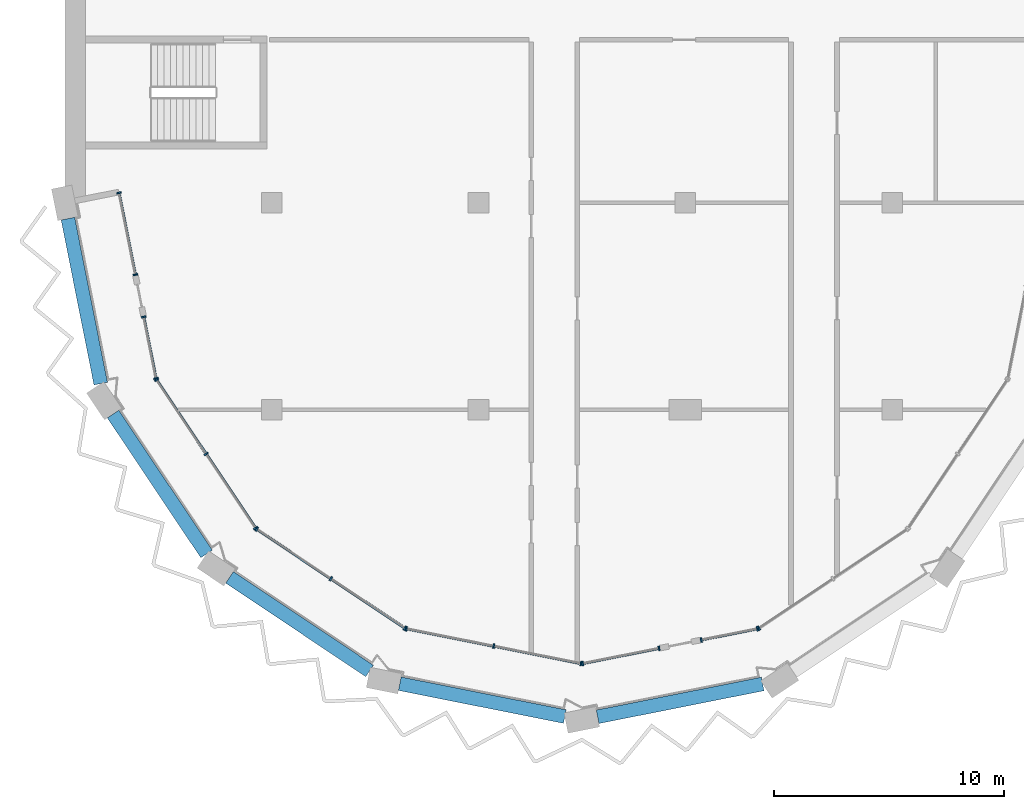
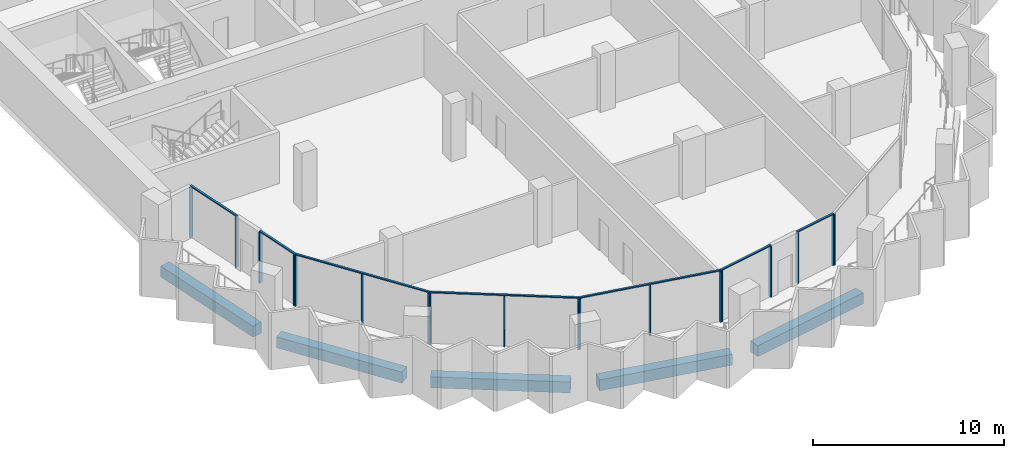
# One storey, part 2 of 14: 25 members, 5 beams, 8 elements without a shape of their own.
"""IFC4 building model written with IfcOpenShell, lengths in metres."""

import ifcopenshell
import ifcopenshell.guid

model = None  # the IFC model being written
_history = None  # IfcOwnerHistory: only IFC2X3 demands one
_inside = {}  # id of a spatial element -> (the spatial element, [elements in it])
_under = {}  # id of a project, library or spatial element -> (it, [spatial elements below it])
_declared = {}  # id of a project -> (the project, [libraries it declares])
_typed = {}  # id of a type object -> (the type object, [elements of that type])
_made_of = {}  # id of a material, layer set ... -> (it, [elements and type objects made of it])


def new_model(schema):
    """Start an empty IFC model of exactly this schema.

    Asked for "IFC4X3", IfcOpenShell would pick the latest addendum, in which some entities
    have other attributes; the version numbers below select the first issue.
    IFC2X3 requires an IfcOwnerHistory on every rooted entity: one is made here for all.
    """
    global model, _history
    if schema == "IFC4X3":
        model = ifcopenshell.file(schema_version=(4, 3, 0, 0))
    else:
        model = ifcopenshell.file(schema=schema)
    _inside.clear()
    _under.clear()
    _declared.clear()
    _typed.clear()
    _made_of.clear()
    _history = None
    if model.schema == "IFC2X3":
        org = make("IfcOrganization", Name="unknown")
        user = make(
            "IfcPersonAndOrganization",
            ThePerson=make("IfcPerson", FamilyName="unknown"),
            TheOrganization=org,
        )
        app = make(
            "IfcApplication",
            ApplicationDeveloper=org,
            Version="unknown",
            ApplicationFullName="unknown",
            ApplicationIdentifier="unknown",
        )
        _history = make(
            "IfcOwnerHistory",
            OwningUser=user,
            OwningApplication=app,
            ChangeAction="ADDED",
            CreationDate=0,
        )
    return model


def make(cls, **values):
    """One entity of the class cls with the attributes given. An attribute that is None is left unset."""
    return model.create_entity(
        cls, **{name: value for name, value in values.items() if value is not None}
    )


def rooted(cls, **values):
    """An entity with a GlobalId (a new one), such as an element, a storey or a relation."""
    return make(cls, GlobalId=ifcopenshell.guid.new(), OwnerHistory=_history, **values)


def si_unit(unit_type, name, prefix=None):
    """IfcSIUnit, for example si_unit("LENGTHUNIT", "METRE", prefix="MILLI")."""
    return make("IfcSIUnit", UnitType=unit_type, Prefix=prefix, Name=name)


def assignment(units):
    """IfcUnitAssignment: the units of a project."""
    return None if units is None else make("IfcUnitAssignment", Units=units)


def point(xyz):
    """IfcCartesianPoint."""
    return None if xyz is None else make("IfcCartesianPoint", Coordinates=xyz)


def direction(xyz):
    """IfcDirection."""
    return None if xyz is None else make("IfcDirection", DirectionRatios=xyz)


def frame(location, z_axis=None, x_axis=None):
    """IfcAxis2Placement3D, a coordinate frame: its origin and axes. An axis left out is left unset."""
    return make(
        "IfcAxis2Placement3D",
        Location=point(location),
        Axis=direction(z_axis),
        RefDirection=direction(x_axis),
    )


def frame_2d(location, x_axis=None):
    """IfcAxis2Placement2D, a coordinate frame in the plane: its origin and x axis."""
    return make(
        "IfcAxis2Placement2D", Location=point(location), RefDirection=direction(x_axis)
    )


def origin():
    """The frame at (0, 0, 0) with its axes left unset."""
    return frame((0.0, 0.0, 0.0))


def origin_2d():
    """The frame at (0, 0) in the plane with its x axis left unset."""
    return frame_2d((0.0, 0.0))


def place(relative_to, where):
    """IfcLocalPlacement: puts the frame where relative to a parent placement (None: the world)."""
    return make(
        "IfcLocalPlacement", PlacementRelTo=relative_to, RelativePlacement=where
    )


def context(
    kind, dimensions, precision=None, world=None, true_north=None, identifier=None
):
    """IfcGeometricRepresentationContext, for example the 3D "Model" context."""
    return make(
        "IfcGeometricRepresentationContext",
        ContextIdentifier=identifier,
        ContextType=kind,
        CoordinateSpaceDimension=dimensions,
        Precision=precision,
        WorldCoordinateSystem=world,
        TrueNorth=true_north,
    )


def subcontext(parent, identifier, kind, view, scale=None):
    """IfcGeometricRepresentationSubContext, for example "Body" below "Model"."""
    return make(
        "IfcGeometricRepresentationSubContext",
        ContextIdentifier=identifier,
        ContextType=kind,
        ParentContext=parent,
        TargetScale=scale,
        TargetView=view,
    )


def project(units=None, contexts=None):
    """IfcProject with its units and contexts."""
    return rooted(
        "IfcProject",
        Name="project",
        RepresentationContexts=contexts,
        UnitsInContext=assignment(units),
    )


def spatial(cls, under=None, at=None, **own):
    """A site, building, storey or space (cls), placed at a placement, below another one or the project."""
    s = rooted(cls, ObjectPlacement=at, **own)
    if under is not None:
        _under.setdefault(under.id(), (under, []))[1].append(s)
    return s


def profile(cls, at=None, kind="AREA", **sizes):
    """A parametric profile (cls). Its sizes go by their IFC names, for example OverallWidth=200.0."""
    return make(cls, ProfileType=kind, Position=at, **sizes)


def rectangle(**sizes):
    """IfcRectangleProfileDef."""
    return profile("IfcRectangleProfileDef", **sizes)


def extrude(swept, where, along, depth):
    """IfcExtrudedAreaSolid: the profile swept, set in the frame where, extruded along a direction by depth."""
    return make(
        "IfcExtrudedAreaSolid",
        SweptArea=swept,
        Position=where,
        ExtrudedDirection=direction(along),
        Depth=depth,
    )


def shape(context_of_items, identifier, shape_type, items):
    """IfcShapeRepresentation: the items that make up one representation, for example the "Body"."""
    return make(
        "IfcShapeRepresentation",
        ContextOfItems=context_of_items,
        RepresentationIdentifier=identifier,
        RepresentationType=shape_type,
        Items=items,
    )


def material(Name=None, Category=None):
    """IfcMaterial."""
    return make("IfcMaterial", Name=Name, Category=Category)


def material_profile(
    of_material, cross_section, Name=None, Category=None, Priority=None
):
    """IfcMaterialProfile: a cross section and its material."""
    return make(
        "IfcMaterialProfile",
        Name=Name,
        Material=of_material,
        Profile=cross_section,
        Priority=Priority,
        Category=Category,
    )


def profile_set(profiles, Name=None, composite=None):
    """IfcMaterialProfileSet."""
    return make(
        "IfcMaterialProfileSet",
        Name=Name,
        MaterialProfiles=profiles,
        CompositeProfile=composite,
    )


def made_of(thing, what):
    """Note that an element or type object is made of a material, layer set ...; save() writes the relation."""
    if what is not None:
        _made_of.setdefault(what.id(), (what, []))[1].append(thing)
    return thing


def type_object(cls, material=None, **own):
    """A type object (cls), such as IfcWallType, which elements share."""
    return made_of(rooted(cls, **own), material)


def element(
    cls,
    number,
    at=None,
    inside=None,
    cuts=None,
    type_object=None,
    material=None,
    context=None,
    identifier="Body",
    shape_type=None,
    held_by="IfcProductDefinitionShape",
    body=None,
    shapes=None,
    **own,
):
    """One element of the class cls, such as IfcWall. Its Tag is "e" and its number.

    at: its placement. inside: the storey or other place that contains it. cuts: it is an
    opening in that element (IfcRelVoidsElement). A single representation is given by context,
    identifier, shape_type and body (its items); several are given by shapes. held_by: the class
    of the entity that holds the representations. save() writes the other relations.
    """
    e = rooted(cls, Tag="e%d" % number, ObjectPlacement=at, **own)
    if body is not None:
        shapes = [shape(context, identifier, shape_type, body)]
    if shapes is not None:
        e.Representation = make(held_by, Representations=shapes)
    if inside is not None:
        _inside.setdefault(inside.id(), (inside, []))[1].append(e)
    if cuts is not None:
        rooted(
            "IfcRelVoidsElement", RelatingBuildingElement=cuts, RelatedOpeningElement=e
        )
    if type_object is not None:
        _typed.setdefault(type_object.id(), (type_object, []))[1].append(e)
    return made_of(e, material)


def aggregate(whole, parts):
    """IfcRelAggregates: a whole, such as a stair, and the parts it consists of."""
    return rooted("IfcRelAggregates", RelatingObject=whole, RelatedObjects=parts)


def save(model, path):
    """Write the relations noted so far, then the file.

    IfcRelAggregates (storeys below a building ...), IfcRelContainedInSpatialStructure (elements
    in a storey), IfcRelDefinesByType, IfcRelAssociatesMaterial and IfcRelDeclares: one each for
    every whole, place, type object, material and project.
    """
    for whole, parts in _under.values():
        aggregate(whole, parts)
    for where, things in _inside.values():
        rooted(
            "IfcRelContainedInSpatialStructure",
            RelatedElements=things,
            RelatingStructure=where,
        )
    for kind, things in _typed.values():
        rooted("IfcRelDefinesByType", RelatedObjects=things, RelatingType=kind)
    for what, things in _made_of.values():
        rooted("IfcRelAssociatesMaterial", RelatedObjects=things, RelatingMaterial=what)
    for by, libraries in _declared.values():
        rooted("IfcRelDeclares", RelatingContext=by, RelatedDefinitions=libraries)
    model.write(path)


model = new_model("IFC4")

# Units and contexts
model_context = context("Model", 3, precision=1e-05, world=origin(), true_north=direction((0.0, 1.0)))
body_context = subcontext(model_context, "Body", "Model", "MODEL_VIEW")
ifc_project = project(units=[si_unit("LENGTHUNIT", "METRE"), si_unit("AREAUNIT", "SQUARE_METRE"), si_unit("VOLUMEUNIT", "CUBIC_METRE"), si_unit("PLANEANGLEUNIT", "RADIAN"), si_unit("MASSUNIT", "GRAM", prefix="KILO")], contexts=[model_context])

# Site, building, storey
site_placement = place(None, origin())
site = spatial("IfcSite", under=ifc_project, at=site_placement, CompositionType="ELEMENT")
building_placement = place(site_placement, origin())
building = spatial("IfcBuilding", under=site, at=building_placement, Name="Hunhe Ridgeline Campus", CompositionType="ELEMENT")
storey_placement = place(building_placement, frame((0.0, 0.0, 288.199951171875)))
storey = spatial("IfcBuildingStorey", under=building, at=storey_placement, Name="L74", CompositionType="ELEMENT", Elevation=288.199951171875)

# Curtain wall, members
ifc_material_1 = material(Name="Aluminium 6063", Category="aluminium")
curtain_wall_type = type_object("IfcCurtainWallType", Name="Curtain wall CW-5", PredefinedType="NOTDEFINED", material=ifc_material_1)
curtain_wall_1_placement = place(storey_placement, origin())
curtain_wall_1 = element("IfcCurtainWall", 1, at=curtain_wall_1_placement, inside=storey, type_object=curtain_wall_type, Name="Curtain wall 01", PredefinedType="NOTDEFINED")
ifc_material_profile_1 = material_profile(ifc_material_1, rectangle(XDim=0.199951171875, YDim=0.070068359375, at=origin_2d()))
ifc_profile_set_1 = profile_set([ifc_material_profile_1], Name="Aluminium 6063")
member_type_1 = type_object("IfcMemberType", Name="CW-5 aluminium mullion", PredefinedType="MULLION", material=ifc_profile_set_1)
member_1_placement = place(storey_placement, frame((2.361572265625, 54.434326171875, 0.0), z_axis=(0.0, 0.0, 1.0), x_axis=(0.980784284924, 0.195095326561, 0.0)))
member_1 = element("IfcMember", 2, at=member_1_placement, type_object=member_type_1, Name="CW-5 mullion 1", PredefinedType="MULLION", context=body_context, shape_type="SweptSolid", body=[
    extrude(rectangle(XDim=0.199951171875, YDim=0.070068359375, at=origin_2d()), origin(), (0.0, 0.0, 1.0), 3.22998046875),
])
member_2_placement = place(storey_placement, frame((3.070068359375, 50.873291015625, 0.0), z_axis=(0.0, 0.0, 1.0), x_axis=(0.980784284924, 0.195095326561, 0.0)))
member_2 = element("IfcMember", 3, at=member_2_placement, type_object=member_type_1, Name="CW-5 mullion 2", PredefinedType="MULLION", context=body_context, shape_type="SweptSolid", body=[
    extrude(rectangle(XDim=0.199951171875, YDim=0.070068359375, at=origin_2d()), origin(), (0.0, 0.0, 1.0), 3.22998046875),
])

curtain_wall_2_placement = place(storey_placement, origin())
curtain_wall_2 = element("IfcCurtainWall", 4, at=curtain_wall_2_placement, inside=storey, type_object=curtain_wall_type, Name="Curtain wall 02", PredefinedType="NOTDEFINED")
member_3_placement = place(storey_placement, frame((3.434814453125, 49.0390625, 0.0), z_axis=(0.0, 0.0, 1.0), x_axis=(0.980784297053, 0.195095265587, 0.0)))
member_3 = element("IfcMember", 5, at=member_3_placement, type_object=member_type_1, Name="CW-5 mullion 1", PredefinedType="MULLION", context=body_context, shape_type="SweptSolid", body=[
    extrude(rectangle(XDim=0.199951171875, YDim=0.070068359375, at=origin_2d()), origin(), (0.0, 0.0, 1.0), 3.22998046875),
])
member_4_placement = place(storey_placement, frame((3.967529296875, 46.36083984375, 0.0), z_axis=(0.0, 0.0, 1.0), x_axis=(0.980784297053, 0.195095265587, 0.0)))
member_4 = element("IfcMember", 6, at=member_4_placement, type_object=member_type_1, Name="CW-5 mullion 2", PredefinedType="MULLION", context=body_context, shape_type="SweptSolid", body=[
    extrude(rectangle(XDim=0.199951171875, YDim=0.070068359375, at=origin_2d()), origin(), (0.0, 0.0, 1.0), 3.22998046875),
])

curtain_wall_3_placement = place(storey_placement, origin())
curtain_wall_3 = element("IfcCurtainWall", 7, at=curtain_wall_3_placement, inside=storey, type_object=curtain_wall_type, Name="Curtain wall 03", PredefinedType="NOTDEFINED")
member_5_placement = place(storey_placement, frame((3.993896484375, 46.29736328125, 0.0), z_axis=(0.0, 0.0, 1.0), x_axis=(0.831469584522, 0.555570274596, 0.0)))
member_5 = element("IfcMember", 8, at=member_5_placement, type_object=member_type_1, Name="CW-5 mullion 1", PredefinedType="MULLION", context=body_context, shape_type="SweptSolid", body=[
    extrude(rectangle(XDim=0.199951171875, YDim=0.070068359375, at=origin_2d()), origin(), (0.0, 0.0, 1.0), 3.22998046875),
])
member_6_placement = place(storey_placement, frame((6.147705078125, 43.07373046875, 0.0), z_axis=(0.0, 0.0, 1.0), x_axis=(0.831469584522, 0.555570274596, 0.0)))
member_6 = element("IfcMember", 9, at=member_6_placement, type_object=member_type_1, Name="CW-5 mullion 2", PredefinedType="MULLION", context=body_context, shape_type="SweptSolid", body=[
    extrude(rectangle(XDim=0.199951171875, YDim=0.070068359375, at=origin_2d()), origin(), (0.0, 0.0, 1.0), 3.22998046875),
])
member_7_placement = place(storey_placement, frame((8.3017578125, 39.850341796875, 0.0), z_axis=(0.0, 0.0, 1.0), x_axis=(0.831469584522, 0.555570274596, 0.0)))
member_7 = element("IfcMember", 10, at=member_7_placement, type_object=member_type_1, Name="CW-5 mullion 3", PredefinedType="MULLION", context=body_context, shape_type="SweptSolid", body=[
    extrude(rectangle(XDim=0.199951171875, YDim=0.070068359375, at=origin_2d()), origin(), (0.0, 0.0, 1.0), 3.22998046875),
])

curtain_wall_4_placement = place(storey_placement, origin())
curtain_wall_4 = element("IfcCurtainWall", 11, at=curtain_wall_4_placement, inside=storey, type_object=curtain_wall_type, Name="Curtain wall 04", PredefinedType="NOTDEFINED")
member_8_placement = place(storey_placement, frame((8.350341796875, 39.8017578125, 0.0), z_axis=(0.0, 0.0, 1.0), x_axis=(0.555570274596, 0.831469584522, 0.0)))
member_8 = element("IfcMember", 12, at=member_8_placement, type_object=member_type_1, Name="CW-5 mullion 1", PredefinedType="MULLION", context=body_context, shape_type="SweptSolid", body=[
    extrude(rectangle(XDim=0.199951171875, YDim=0.070068359375, at=origin_2d()), origin(), (0.0, 0.0, 1.0), 3.22998046875),
])
member_9_placement = place(storey_placement, frame((11.57373046875, 37.647705078125, 0.0), z_axis=(0.0, 0.0, 1.0), x_axis=(0.555570274596, 0.831469584522, 0.0)))
member_9 = element("IfcMember", 13, at=member_9_placement, type_object=member_type_1, Name="CW-5 mullion 2", PredefinedType="MULLION", context=body_context, shape_type="SweptSolid", body=[
    extrude(rectangle(XDim=0.199951171875, YDim=0.070068359375, at=origin_2d()), origin(), (0.0, 0.0, 1.0), 3.22998046875),
])
member_10_placement = place(storey_placement, frame((14.79736328125, 35.493896484375, 0.0), z_axis=(0.0, 0.0, 1.0), x_axis=(0.555570274596, 0.831469584522, 0.0)))
member_10 = element("IfcMember", 14, at=member_10_placement, type_object=member_type_1, Name="CW-5 mullion 3", PredefinedType="MULLION", context=body_context, shape_type="SweptSolid", body=[
    extrude(rectangle(XDim=0.199951171875, YDim=0.070068359375, at=origin_2d()), origin(), (0.0, 0.0, 1.0), 3.22998046875),
])

curtain_wall_5_placement = place(storey_placement, origin())
curtain_wall_5 = element("IfcCurtainWall", 15, at=curtain_wall_5_placement, inside=storey, type_object=curtain_wall_type, Name="Curtain wall 05", PredefinedType="NOTDEFINED")
member_11_placement = place(storey_placement, frame((14.86083984375, 35.467529296875, 0.0), z_axis=(0.0, 0.0, 1.0), x_axis=(0.195090347539, 0.980785275326, 0.0)))
member_11 = element("IfcMember", 16, at=member_11_placement, type_object=member_type_1, Name="CW-5 mullion 1", PredefinedType="MULLION", context=body_context, shape_type="SweptSolid", body=[
    extrude(rectangle(XDim=0.199951171875, YDim=0.070068359375, at=origin_2d()), origin(), (0.0, 0.0, 1.0), 3.22998046875),
])
member_12_placement = place(storey_placement, frame((18.663330078125, 34.711181640625, 0.0), z_axis=(0.0, 0.0, 1.0), x_axis=(0.195090347539, 0.980785275326, 0.0)))
member_12 = element("IfcMember", 17, at=member_12_placement, type_object=member_type_1, Name="CW-5 mullion 2", PredefinedType="MULLION", context=body_context, shape_type="SweptSolid", body=[
    extrude(rectangle(XDim=0.199951171875, YDim=0.070068359375, at=origin_2d()), origin(), (0.0, 0.0, 1.0), 3.22998046875),
])
member_13_placement = place(storey_placement, frame((22.465576171875, 33.954833984375, 0.0), z_axis=(0.0, 0.0, 1.0), x_axis=(0.195090347539, 0.980785275326, 0.0)))
member_13 = element("IfcMember", 18, at=member_13_placement, type_object=member_type_1, Name="CW-5 mullion 3", PredefinedType="MULLION", context=body_context, shape_type="SweptSolid", body=[
    extrude(rectangle(XDim=0.199951171875, YDim=0.070068359375, at=origin_2d()), origin(), (0.0, 0.0, 1.0), 3.22998046875),
])

curtain_wall_6_placement = place(storey_placement, origin())
curtain_wall_6 = element("IfcCurtainWall", 19, at=curtain_wall_6_placement, inside=storey, type_object=curtain_wall_type, Name="Curtain wall 06", PredefinedType="NOTDEFINED")
member_14_placement = place(storey_placement, frame((22.534423828125, 33.954833984375, 0.0), z_axis=(0.0, 0.0, 1.0), x_axis=(-0.19509037034, 0.980785270791, 0.0)))
member_14 = element("IfcMember", 20, at=member_14_placement, type_object=member_type_1, Name="CW-5 mullion 1", PredefinedType="MULLION", context=body_context, shape_type="SweptSolid", body=[
    extrude(rectangle(XDim=0.199951171875, YDim=0.070068359375, at=origin_2d()), origin(), (0.0, 0.0, 1.0), 3.22998046875),
])
member_15_placement = place(storey_placement, frame((25.861083984375, 34.61669921875, 0.0), z_axis=(0.0, 0.0, 1.0), x_axis=(-0.19509037034, 0.980785270791, 0.0)))
member_15 = element("IfcMember", 21, at=member_15_placement, type_object=member_type_1, Name="CW-5 mullion 2", PredefinedType="MULLION", context=body_context, shape_type="SweptSolid", body=[
    extrude(rectangle(XDim=0.199951171875, YDim=0.070068359375, at=origin_2d()), origin(), (0.0, 0.0, 1.0), 3.22998046875),
])

curtain_wall_7_placement = place(storey_placement, origin())
curtain_wall_7 = element("IfcCurtainWall", 22, at=curtain_wall_7_placement, inside=storey, type_object=curtain_wall_type, Name="Curtain wall 07", PredefinedType="NOTDEFINED")
member_16_placement = place(storey_placement, frame((27.695068359375, 34.9814453125, 0.0), z_axis=(0.0, 0.0, 1.0), x_axis=(-0.195090514627, 0.980785242091, 0.0)))
member_16 = element("IfcMember", 23, at=member_16_placement, type_object=member_type_1, Name="CW-5 mullion 1", PredefinedType="MULLION", context=body_context, shape_type="SweptSolid", body=[
    extrude(rectangle(XDim=0.199951171875, YDim=0.070068359375, at=origin_2d()), origin(), (0.0, 0.0, 1.0), 3.22998046875),
])
member_17_placement = place(storey_placement, frame((30.13916015625, 35.467529296875, 0.0), z_axis=(0.0, 0.0, 1.0), x_axis=(-0.195090514627, 0.980785242091, 0.0)))
member_17 = element("IfcMember", 24, at=member_17_placement, type_object=member_type_1, Name="CW-5 mullion 2", PredefinedType="MULLION", context=body_context, shape_type="SweptSolid", body=[
    extrude(rectangle(XDim=0.199951171875, YDim=0.070068359375, at=origin_2d()), origin(), (0.0, 0.0, 1.0), 3.22998046875),
])

# Curtain wall, member
curtain_wall_8_placement = place(storey_placement, origin())
curtain_wall_8 = element("IfcCurtainWall", 25, at=curtain_wall_8_placement, inside=storey, type_object=curtain_wall_type, Name="Curtain wall 08", PredefinedType="NOTDEFINED")
member_18_placement = place(storey_placement, frame((30.20263671875, 35.493896484375, 0.0), z_axis=(0.0, 0.0, 1.0), x_axis=(-0.555570274596, 0.831469584522, 0.0)))
member_18 = element("IfcMember", 26, at=member_18_placement, type_object=member_type_1, Name="CW-5 mullion 1", PredefinedType="MULLION", context=body_context, shape_type="SweptSolid", body=[
    extrude(rectangle(XDim=0.199951171875, YDim=0.070068359375, at=origin_2d()), origin(), (0.0, 0.0, 1.0), 3.22998046875),
])
aggregate(curtain_wall_8, [member_18])

# Member
ifc_material_profile_2 = material_profile(ifc_material_1, rectangle(XDim=0.1201171875, YDim=0.070068359375, at=origin_2d()))
ifc_profile_set_2 = profile_set([ifc_material_profile_2], Name="Aluminium 6063")
member_type_2 = type_object("IfcMemberType", Name="CW-5 aluminium transom", PredefinedType="USERDEFINED", material=ifc_profile_set_2)
member_19_placement = place(storey_placement, frame((2.354736328125, 54.46875, 3.26513671875), z_axis=(0.195126549745, -0.980778073564, 0.0), x_axis=(0.980778073564, 0.195126549745, 0.0)))
member_19 = element("IfcMember", 27, at=member_19_placement, type_object=member_type_2, Name="CW-5 transom 1", ObjectType="TRANSOM", PredefinedType="USERDEFINED", context=body_context, shape_type="SweptSolid", body=[
    extrude(rectangle(XDim=0.1201171875, YDim=0.070068359375, at=origin_2d()), origin(), (0.0, 0.0, 1.0), 3.700927734375),
])

aggregate(curtain_wall_1, [member_19, member_1, member_2])

member_20_placement = place(storey_placement, frame((3.427978515625, 49.073486328125, 3.26513671875), z_axis=(0.195076742145, -0.98078798151, 0.0), x_axis=(0.98078798151, 0.195076742145, 0.0)))
member_20 = element("IfcMember", 28, at=member_20_placement, type_object=member_type_2, Name="CW-5 transom 1", ObjectType="TRANSOM", PredefinedType="USERDEFINED", context=body_context, shape_type="SweptSolid", body=[
    extrude(rectangle(XDim=0.1201171875, YDim=0.070068359375, at=origin_2d()), origin(), (0.0, 0.0, 1.0), 2.80078125),
])

aggregate(curtain_wall_2, [member_20, member_3, member_4])

member_21_placement = place(storey_placement, frame((3.974365234375, 46.326416015625, 3.26513671875), z_axis=(0.5555640203, -0.831473763475, 0.0), x_axis=(0.831473763475, 0.5555640203, 0.0)))
member_21 = element("IfcMember", 29, at=member_21_placement, type_object=member_type_2, Name="CW-5 transom 1", ObjectType="TRANSOM", PredefinedType="USERDEFINED", context=body_context, shape_type="SweptSolid", body=[
    extrude(rectangle(XDim=0.1201171875, YDim=0.070068359375, at=origin_2d()), origin(), (0.0, 0.0, 1.0), 7.823974609375),
])

aggregate(curtain_wall_3, [member_21, member_5, member_6, member_7])

member_22_placement = place(storey_placement, frame((8.321044921875, 39.821044921875, 3.26513671875), z_axis=(0.831473763475, -0.5555640203, 0.0), x_axis=(0.5555640203, 0.831473763475, 0.0)))
member_22 = element("IfcMember", 30, at=member_22_placement, type_object=member_type_2, Name="CW-5 transom 1", ObjectType="TRANSOM", PredefinedType="USERDEFINED", context=body_context, shape_type="SweptSolid", body=[
    extrude(rectangle(XDim=0.1201171875, YDim=0.070068359375, at=origin_2d()), origin(), (0.0, 0.0, 1.0), 7.823974609375),
])

aggregate(curtain_wall_4, [member_22, member_8, member_9, member_10])

member_23_placement = place(storey_placement, frame((14.826416015625, 35.474365234375, 3.26513671875), z_axis=(0.980785367689, -0.195089883198, 0.0), x_axis=(0.195089883198, 0.980785367689, 0.0)))
member_23 = element("IfcMember", 31, at=member_23_placement, type_object=member_type_2, Name="CW-5 transom 1", ObjectType="TRANSOM", PredefinedType="USERDEFINED", context=body_context, shape_type="SweptSolid", body=[
    extrude(rectangle(XDim=0.1201171875, YDim=0.070068359375, at=origin_2d()), origin(), (0.0, 0.0, 1.0), 7.823974609375),
])

aggregate(curtain_wall_5, [member_23, member_11, member_12, member_13])

member_24_placement = place(storey_placement, frame((22.5, 33.947998046875, 3.26513671875), z_axis=(0.980778171596, 0.195126057004, 0.0), x_axis=(-0.195126057004, 0.980778171596, 0.0)))
member_24 = element("IfcMember", 32, at=member_24_placement, type_object=member_type_2, Name="CW-5 transom 1", ObjectType="TRANSOM", PredefinedType="USERDEFINED", context=body_context, shape_type="SweptSolid", body=[
    extrude(rectangle(XDim=0.1201171875, YDim=0.070068359375, at=origin_2d()), origin(), (0.0, 0.0, 1.0), 3.462158203125),
])

aggregate(curtain_wall_6, [member_24, member_14, member_15])

member_25_placement = place(storey_placement, frame((27.660888671875, 34.974609375, 3.26513671875), z_axis=(0.980789038007, 0.195071430315, 0.0), x_axis=(-0.195071430315, 0.980789038007, 0.0)))
member_25 = element("IfcMember", 33, at=member_25_placement, type_object=member_type_2, Name="CW-5 transom 1", ObjectType="TRANSOM", PredefinedType="USERDEFINED", context=body_context, shape_type="SweptSolid", body=[
    extrude(rectangle(XDim=0.1201171875, YDim=0.070068359375, at=origin_2d()), origin(), (0.0, 0.0, 1.0), 2.56201171875),
])

aggregate(curtain_wall_7, [member_25, member_16, member_17])

# Beams
ifc_material_2 = material(Name="Concrete C50", Category="concrete")
ifc_material_profile_3 = material_profile(ifc_material_2, rectangle(XDim=0.60009765625, YDim=0.699951171875, at=origin_2d()))
ifc_profile_set_3 = profile_set([ifc_material_profile_3], Name="Concrete C50")
beam_type = type_object("IfcBeamType", Name="RC spandrel beam 600x700 Concrete C50", PredefinedType="SPANDREL", material=ifc_profile_set_3)
beam_1_placement = place(storey_placement, frame((0.136474609375, 53.3134765625, -0.599853515625), z_axis=(0.195109229868, -0.980781519208, 0.0), x_axis=(0.980781519208, 0.195109229868, 0.0)))
element("IfcBeam", 34, at=beam_1_placement, inside=storey, type_object=beam_type, Name="Spandrel beam B4-1 L74", PredefinedType="SPANDREL", context=body_context, shape_type="SweptSolid", body=[
    extrude(rectangle(XDim=0.60009765625, YDim=0.699951171875, at=origin_2d()), origin(), (0.0, 0.0, 1.0), 7.3212890625),
])
beam_2_placement = place(storey_placement, frame((2.1015625, 44.8076171875, -0.599853515625), z_axis=(0.555569441455, -0.831470141209, 0.0), x_axis=(0.831470141209, 0.555569441455, 0.0)))
element("IfcBeam", 35, at=beam_2_placement, inside=storey, type_object=beam_type, Name="Spandrel beam B4-2 L74", PredefinedType="SPANDREL", context=body_context, shape_type="SweptSolid", body=[
    extrude(rectangle(XDim=0.60009765625, YDim=0.699951171875, at=origin_2d()), origin(), (0.0, 0.0, 1.0), 7.321533203125),
])
for number, where, z_axis, x_axis, name in (
    (36, (7.172119140625, 37.701171875, -0.599853515625), (0.831459848444, -0.555584845389, 0.0), (0.555584845389, 0.831459848444, 0.0), "Spandrel beam B4-3 L74"),
    (37, (14.576171875, 33.076171875, -0.599853515625), (0.980781519208, -0.195109229868, 0.0), (0.195109229868, 0.980781519208, 0.0), "Spandrel beam B4-4 L74"),
    (38, (23.1865234375, 31.636474609375, -0.599853515625), (0.980781519208, 0.195109229868, 0.0), (-0.195109229868, 0.980781519208, 0.0), "Spandrel beam B4-5 L74"),
):
    element("IfcBeam", number, at=place(storey_placement, frame(where, z_axis=z_axis, x_axis=x_axis)), inside=storey, type_object=beam_type, Name=name, PredefinedType="SPANDREL", context=body_context, shape_type="SweptSolid", body=[
        extrude(rectangle(XDim=0.60009765625, YDim=0.699951171875, at=origin_2d()), origin(), (0.0, 0.0, 1.0), 7.3212890625),
    ])

save(model, "model.ifc")
